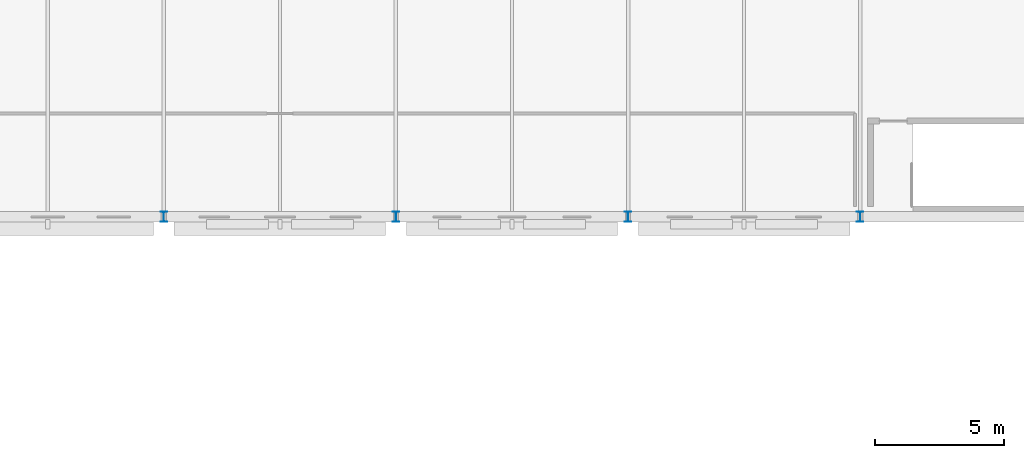
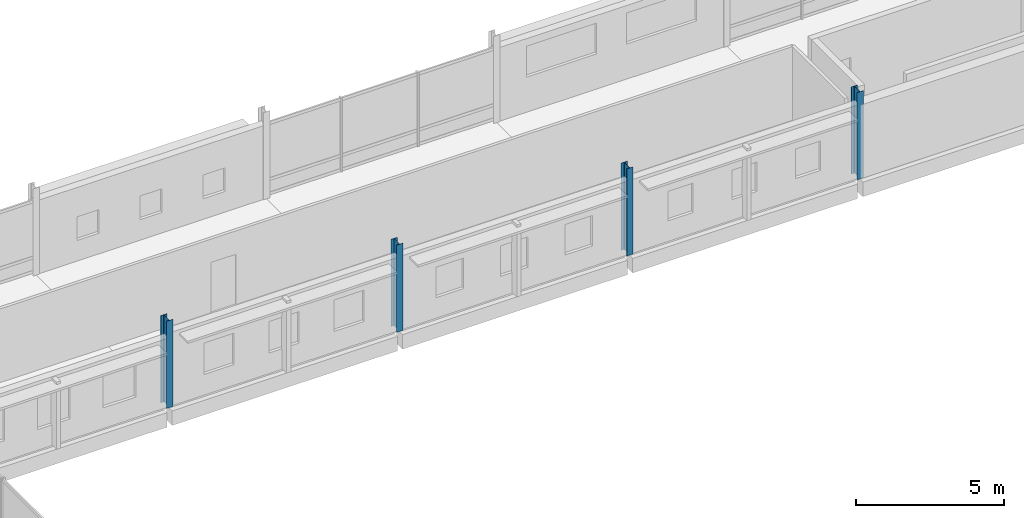
# One storey, part 14 of 132: 4 columns.
"""IFC4 building model written with IfcOpenShell, lengths in metres."""

from ifc_helpers import new_model, si_unit, direction, frame, origin, origin_2d, place, context, subcontext, project, spatial, i_section, extrude, material, material_profile, profile_set, type_object, element, save


model = new_model("IFC4")

# Units and contexts
model_context = context("Model", 3, precision=1e-05, world=origin(), true_north=direction((0.0, 1.0)))
body_context = subcontext(model_context, "Body", "Model", "MODEL_VIEW")
ifc_project = project(units=[si_unit("LENGTHUNIT", "METRE"), si_unit("AREAUNIT", "SQUARE_METRE"), si_unit("VOLUMEUNIT", "CUBIC_METRE"), si_unit("PLANEANGLEUNIT", "RADIAN"), si_unit("MASSUNIT", "GRAM", prefix="KILO")], contexts=[model_context])

# Site, building, storey
site_placement = place(None, origin())
site = spatial("IfcSite", under=ifc_project, at=site_placement, CompositionType="ELEMENT")
building_placement = place(site_placement, origin())
building = spatial("IfcBuilding", under=site, at=building_placement, Name="Tharagai Park Tramway Depot", CompositionType="ELEMENT")
storey_placement = place(building_placement, frame((0.0, 0.0, 4.800048828125)))
storey = spatial("IfcBuildingStorey", under=building, at=storey_placement, Name="L01", CompositionType="ELEMENT", Elevation=4.800048828125)

# Columns
ifc_material = material(Name="Steel E350", Category="steel")
ifc_material_profile = material_profile(ifc_material, i_section(OverallWidth=0.25, OverallDepth=0.39990234375, WebThickness=0.010498046875, FlangeThickness=0.0126953125, FilletRadius=0.013916015625, at=origin_2d()), Name="ISHB 400")
ifc_profile_set = profile_set([ifc_material_profile], Name="Steel E350")
column_type = type_object("IfcColumnType", Name="CL-06", PredefinedType="COLUMN", material=ifc_profile_set)
for number, where, z_axis, x_axis, name in (
    (1, (99.0, 90.0, 0.0), (0.0, 0.0, 1.0), (1.0, 0.0, 0.0), "L01 Structural Column CL-06 (99,90)"),
    (2, (108.0, 90.0, 0.0), (0.0, 0.0, 1.0), (1.0, 0.0, 0.0), "L01 Structural Column CL-06 (108,90)"),
    (3, (117.0, 90.0, 0.0), (0.0, 0.0, 1.0), (1.0, 0.0, 0.0), "L01 Structural Column CL-06 (117,90)"),
    (4, (126.0, 90.0, 0.0), (0.0, 0.0, 1.0), (1.0, 0.0, 0.0), "L01 Structural Column CL-06 (126,90)"),
):
    element("IfcColumn", number, at=place(storey_placement, frame(where, z_axis=z_axis, x_axis=x_axis)), inside=storey, type_object=column_type, Name=name, PredefinedType="COLUMN", context=body_context, shape_type="SweptSolid", body=[
        extrude(i_section(OverallWidth=0.25, OverallDepth=0.39990234375, WebThickness=0.010498046875, FlangeThickness=0.0126953125, FilletRadius=0.013916015625, at=origin_2d()), origin(), (0.0, 0.0, 1.0), 3.599853515625),
    ])

save(model, "model.ifc")
